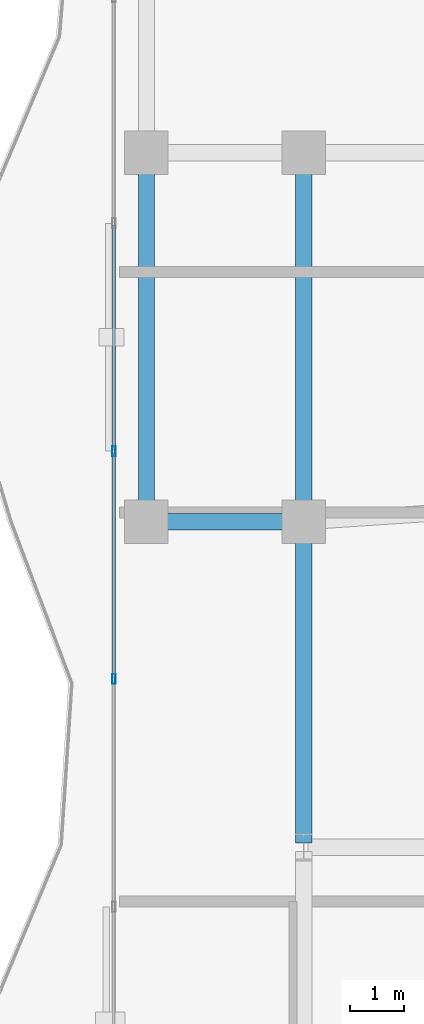
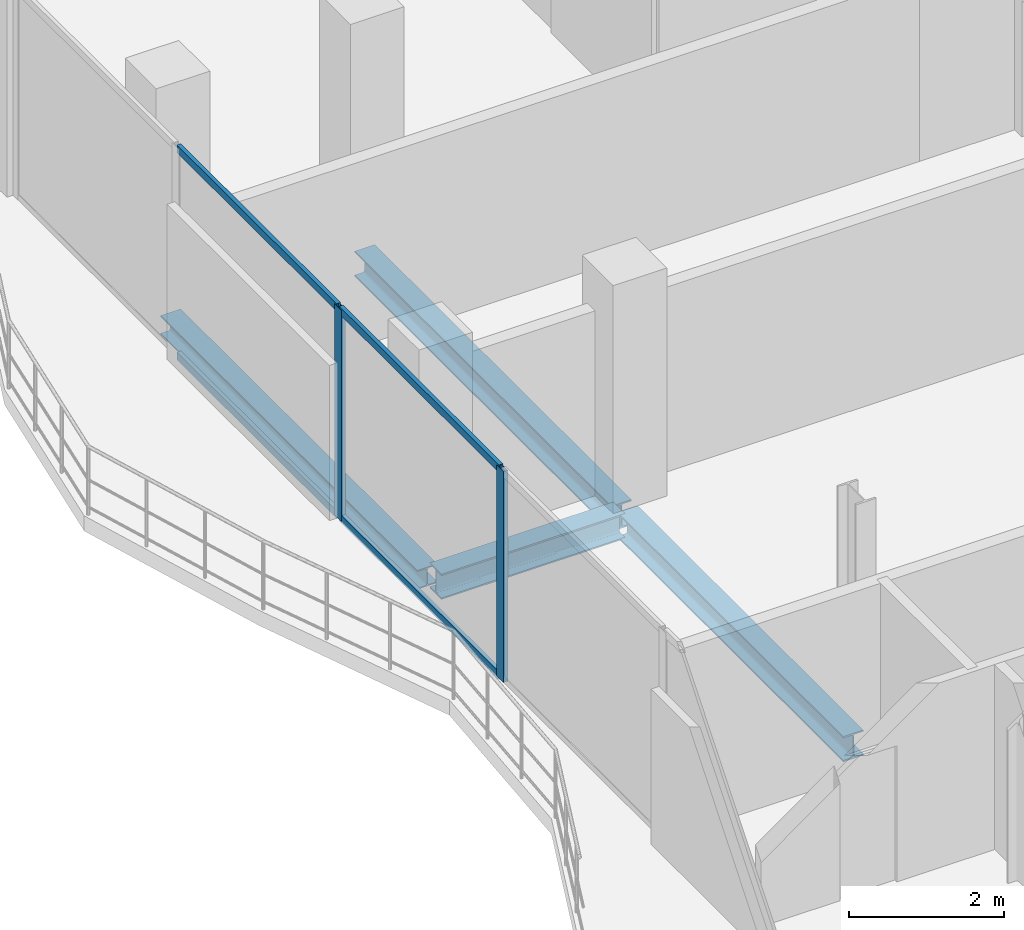
# One storey, part 7 of 23: 6 members, 4 beams, 1 element without a shape of its own.
"""IFC4 building model written with IfcOpenShell, lengths in metres."""

from ifc_helpers import new_model, si_unit, direction, frame, origin, origin_2d, place, context, subcontext, project, spatial, hollow_rectangle, i_section, extrude, material, layer, layer_set, material_profile, profile_set, type_object, element, aggregate, save


model = new_model("IFC4")

# Units and contexts
model_context = context("Model", 3, precision=1e-05, world=origin(), true_north=direction((0.0, 1.0)))
body_context = subcontext(model_context, "Body", "Model", "MODEL_VIEW")
ifc_project = project(units=[si_unit("LENGTHUNIT", "METRE"), si_unit("AREAUNIT", "SQUARE_METRE"), si_unit("VOLUMEUNIT", "CUBIC_METRE"), si_unit("PLANEANGLEUNIT", "RADIAN"), si_unit("MASSUNIT", "GRAM", prefix="KILO")], contexts=[model_context])

# Site, building, storey
site_placement = place(None, origin())
site = spatial("IfcSite", under=ifc_project, at=site_placement, CompositionType="ELEMENT")
building_placement = place(site_placement, origin())
building = spatial("IfcBuilding", under=site, at=building_placement, Name="Catumbela Crestline Tower", CompositionType="ELEMENT")
storey_placement = place(building_placement, frame((0.0, 0.0, 175.8)))
storey = spatial("IfcBuildingStorey", under=building, at=storey_placement, Name="L45", CompositionType="ELEMENT", Elevation=175.8)

# Beams
ifc_material_1 = material(Name="Structural steel S355J2", Category="steel")
ifc_material_profile_1 = material_profile(ifc_material_1, i_section(OverallWidth=0.3, OverallDepth=0.4, WebThickness=0.0135, FlangeThickness=0.024, FilletRadius=0.027, at=origin_2d()), Name="HEB 400")
ifc_profile_set_1 = profile_set([ifc_material_profile_1], Name="Structural steel S355J2")
beam_type_1 = type_object("IfcBeamType", Name="BG-HEB400", PredefinedType="BEAM", material=ifc_profile_set_1)
beam_1_placement = place(storey_placement, frame((5.68, 24.0, -0.46), z_axis=(1.0, 0.0, 0.0), x_axis=(0.0, 1.0, 0.0)))
element("IfcBeam", 1, at=beam_1_placement, inside=storey, type_object=beam_type_1, Name="L45 Beam BM-L45-S01", PredefinedType="BEAM", context=body_context, shape_type="SweptSolid", body=[
    extrude(i_section(OverallWidth=0.3, OverallDepth=0.4, WebThickness=0.0135, FlangeThickness=0.024, FilletRadius=0.027, at=origin_2d()), origin(), (0.0, 0.0, 1.0), 2.74),
])
beam_2_placement = place(storey_placement, frame((8.5, 24.08, -0.46), z_axis=(0.0, 1.0, 0.0), x_axis=(-1.0, 0.0, 0.0)))
element("IfcBeam", 2, at=beam_2_placement, inside=storey, type_object=beam_type_1, Name="L45 Beam BM-L45-SN16", PredefinedType="BEAM", context=body_context, shape_type="SweptSolid", body=[
    extrude(i_section(OverallWidth=0.3, OverallDepth=0.4, WebThickness=0.0135, FlangeThickness=0.024, FilletRadius=0.027, at=origin_2d()), origin(), (0.0, 0.0, 1.0), 6.64),
])
beam_3_placement = place(storey_placement, frame((8.5, 18.08, -0.46), z_axis=(0.0, 1.0, 0.0), x_axis=(-1.0, 0.0, 0.0)))
element("IfcBeam", 3, at=beam_3_placement, inside=storey, type_object=beam_type_1, Name="L45 Beam BM-L45-WNS39", PredefinedType="BEAM", context=body_context, shape_type="SweptSolid", body=[
    extrude(i_section(OverallWidth=0.3, OverallDepth=0.4, WebThickness=0.0135, FlangeThickness=0.024, FilletRadius=0.027, at=origin_2d()), origin(), (0.0, 0.0, 1.0), 5.84),
])

# Curtain wall, members
ifc_material_2 = material(Name="Aluminium alloy AW-6060-T66", Category="aluminium")
ifc_layer = layer(ifc_material_2, 0.18, Name="Aluminium alloy AW-6060-T66")
ifc_layer_set = layer_set([ifc_layer], Name="Aluminium alloy AW-6060-T66")
curtain_wall_type = type_object("IfcCurtainWallType", Name="CWU-Z3", PredefinedType="USERDEFINED", material=ifc_layer_set)
curtain_wall_placement = place(storey_placement, origin())
curtain_wall = element("IfcCurtainWall", 4, at=curtain_wall_placement, inside=storey, type_object=curtain_wall_type, Name="L45 Unitised Curtain Wall CW-L45-E9S2", ObjectType="UNITISED", PredefinedType="USERDEFINED")
ifc_material_profile_2 = material_profile(ifc_material_2, hollow_rectangle(XDim=0.065, YDim=0.18, WallThickness=0.004, at=origin_2d()), Name="ALU 180x65x4")
ifc_profile_set_2 = profile_set([ifc_material_profile_2], Name="Aluminium alloy AW-6060-T66")
member_type_1 = type_object("IfcMemberType", Name="MUL-180X65", PredefinedType="MULLION", material=ifc_profile_set_2)
member_1_placement = place(storey_placement, frame((5.0, 25.3, 0.0), z_axis=(0.0, 0.0, 1.0), x_axis=(1.0, 0.0, 0.0)))
member_1 = element("IfcMember", 5, at=member_1_placement, type_object=member_type_1, Name="CWU-Z3 mullion 3", PredefinedType="MULLION", context=body_context, shape_type="SweptSolid", body=[
    extrude(hollow_rectangle(XDim=0.065, YDim=0.18, WallThickness=0.004, at=origin_2d()), origin(), (0.0, 0.0, 1.0), 3.33),
])
member_2_placement = place(storey_placement, frame((5.0, 21.1, 0.0), z_axis=(0.0, 0.0, 1.0), x_axis=(1.0, 0.0, 0.0)))
member_2 = element("IfcMember", 6, at=member_2_placement, type_object=member_type_1, Name="CWU-Z3 mullion 4", PredefinedType="MULLION", context=body_context, shape_type="SweptSolid", body=[
    extrude(hollow_rectangle(XDim=0.065, YDim=0.18, WallThickness=0.004, at=origin_2d()), origin(), (0.0, 0.0, 1.0), 3.33),
])

# Beam
ifc_material_profile_3 = material_profile(ifc_material_1, i_section(OverallWidth=0.3, OverallDepth=0.3, WebThickness=0.011, FlangeThickness=0.019, FilletRadius=0.027, at=origin_2d()), Name="HEB 300")
ifc_profile_set_3 = profile_set([ifc_material_profile_3], Name="Structural steel S355J2")
beam_type_2 = type_object("IfcBeamType", Name="BS-HEB300", PredefinedType="SPANDREL", material=ifc_profile_set_3)
beam_4_placement = place(storey_placement, frame((5.6, 24.08, -0.41), z_axis=(0.0, 1.0, 0.0), x_axis=(-1.0, 0.0, 0.0)))
element("IfcBeam", 7, at=beam_4_placement, inside=storey, type_object=beam_type_2, Name="L45 Spandrel SP-L45-SN14", PredefinedType="SPANDREL", context=body_context, shape_type="SweptSolid", body=[
    extrude(i_section(OverallWidth=0.3, OverallDepth=0.3, WebThickness=0.011, FlangeThickness=0.019, FilletRadius=0.027, at=origin_2d()), origin(), (0.0, 0.0, 1.0), 6.64),
])

# Member
ifc_material_profile_4 = material_profile(ifc_material_2, hollow_rectangle(XDim=0.06, YDim=0.12, WallThickness=0.0035, at=origin_2d()), Name="ALU 120x60x3.5")
ifc_profile_set_4 = profile_set([ifc_material_profile_4], Name="Aluminium alloy AW-6060-T66")
member_type_2 = type_object("IfcMemberType", Name="TRN-120X60", PredefinedType="USERDEFINED", material=ifc_profile_set_4)
member_3_placement = place(storey_placement, frame((5.0, 29.4675, 0.03), z_axis=(0.0, -1.0, 0.0), x_axis=(1.0, 0.0, 0.0)))
member_3 = element("IfcMember", 8, at=member_3_placement, type_object=member_type_2, Name="CWU-Z3 transom 2.1", ObjectType="TRANSOM", PredefinedType="USERDEFINED", context=body_context, shape_type="SweptSolid", body=[
    extrude(hollow_rectangle(XDim=0.06, YDim=0.12, WallThickness=0.0035, at=origin_2d()), origin(), (0.0, 0.0, 1.0), 4.135),
])

member_4_placement = place(storey_placement, frame((5.0, 29.4675, 3.3), z_axis=(0.0, -1.0, 0.0), x_axis=(1.0, 0.0, 0.0)))
member_4 = element("IfcMember", 9, at=member_4_placement, type_object=member_type_2, Name="CWU-Z3 transom 2.2", ObjectType="TRANSOM", PredefinedType="USERDEFINED", context=body_context, shape_type="SweptSolid", body=[
    extrude(hollow_rectangle(XDim=0.06, YDim=0.12, WallThickness=0.0035, at=origin_2d()), origin(), (0.0, 0.0, 1.0), 4.135),
])

member_5_placement = place(storey_placement, frame((5.0, 25.2675, 0.03), z_axis=(0.0, -1.0, 0.0), x_axis=(1.0, 0.0, 0.0)))
member_5 = element("IfcMember", 10, at=member_5_placement, type_object=member_type_2, Name="CWU-Z3 transom 3.1", ObjectType="TRANSOM", PredefinedType="USERDEFINED", context=body_context, shape_type="SweptSolid", body=[
    extrude(hollow_rectangle(XDim=0.06, YDim=0.12, WallThickness=0.0035, at=origin_2d()), origin(), (0.0, 0.0, 1.0), 4.135),
])

member_6_placement = place(storey_placement, frame((5.0, 25.2675, 3.3), z_axis=(0.0, -1.0, 0.0), x_axis=(1.0, 0.0, 0.0)))
member_6 = element("IfcMember", 11, at=member_6_placement, type_object=member_type_2, Name="CWU-Z3 transom 3.2", ObjectType="TRANSOM", PredefinedType="USERDEFINED", context=body_context, shape_type="SweptSolid", body=[
    extrude(hollow_rectangle(XDim=0.06, YDim=0.12, WallThickness=0.0035, at=origin_2d()), origin(), (0.0, 0.0, 1.0), 4.135),
])

aggregate(curtain_wall, [member_1, member_2, member_3, member_4, member_5, member_6])

save(model, "model.ifc")
